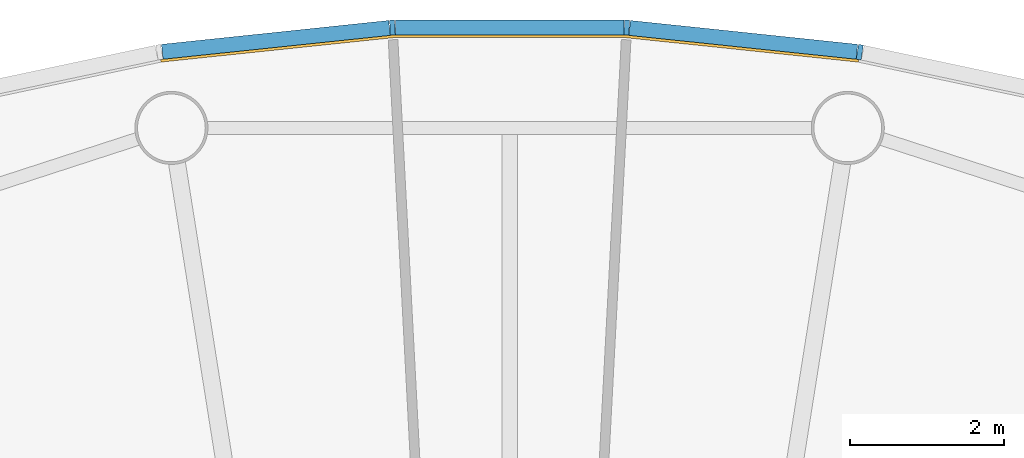
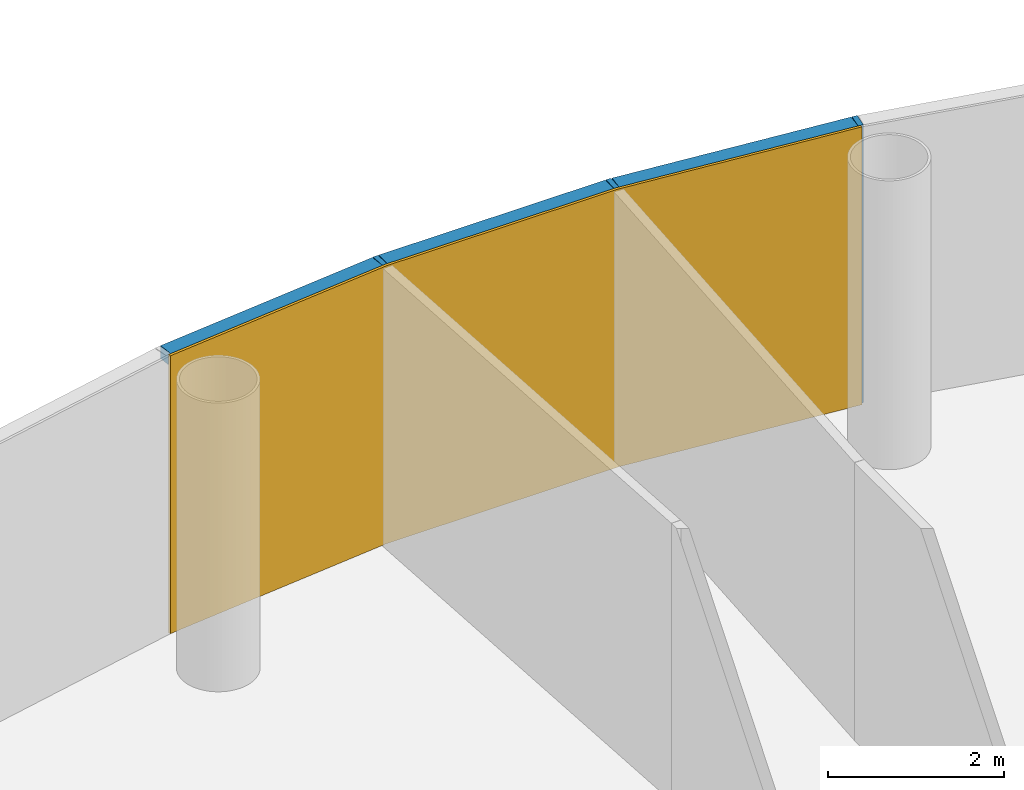
# One storey, part 11 of 13: 6 members, 1 curtain wall.
"""IFC4 building model written with IfcOpenShell, lengths in metres."""

import ifcopenshell
import ifcopenshell.guid

model = None  # the IFC model being written
_history = None  # IfcOwnerHistory: only IFC2X3 demands one
_inside = {}  # id of a spatial element -> (the spatial element, [elements in it])
_under = {}  # id of a project, library or spatial element -> (it, [spatial elements below it])
_declared = {}  # id of a project -> (the project, [libraries it declares])
_typed = {}  # id of a type object -> (the type object, [elements of that type])
_made_of = {}  # id of a material, layer set ... -> (it, [elements and type objects made of it])


def new_model(schema):
    """Start an empty IFC model of exactly this schema.

    Asked for "IFC4X3", IfcOpenShell would pick the latest addendum, in which some entities
    have other attributes; the version numbers below select the first issue.
    IFC2X3 requires an IfcOwnerHistory on every rooted entity: one is made here for all.
    """
    global model, _history
    if schema == "IFC4X3":
        model = ifcopenshell.file(schema_version=(4, 3, 0, 0))
    else:
        model = ifcopenshell.file(schema=schema)
    _inside.clear()
    _under.clear()
    _declared.clear()
    _typed.clear()
    _made_of.clear()
    _history = None
    if model.schema == "IFC2X3":
        org = make("IfcOrganization", Name="unknown")
        user = make(
            "IfcPersonAndOrganization",
            ThePerson=make("IfcPerson", FamilyName="unknown"),
            TheOrganization=org,
        )
        app = make(
            "IfcApplication",
            ApplicationDeveloper=org,
            Version="unknown",
            ApplicationFullName="unknown",
            ApplicationIdentifier="unknown",
        )
        _history = make(
            "IfcOwnerHistory",
            OwningUser=user,
            OwningApplication=app,
            ChangeAction="ADDED",
            CreationDate=0,
        )
    return model


def make(cls, **values):
    """One entity of the class cls with the attributes given. An attribute that is None is left unset."""
    return model.create_entity(
        cls, **{name: value for name, value in values.items() if value is not None}
    )


def rooted(cls, **values):
    """An entity with a GlobalId (a new one), such as an element, a storey or a relation."""
    return make(cls, GlobalId=ifcopenshell.guid.new(), OwnerHistory=_history, **values)


def si_unit(unit_type, name, prefix=None):
    """IfcSIUnit, for example si_unit("LENGTHUNIT", "METRE", prefix="MILLI")."""
    return make("IfcSIUnit", UnitType=unit_type, Prefix=prefix, Name=name)


def assignment(units):
    """IfcUnitAssignment: the units of a project."""
    return None if units is None else make("IfcUnitAssignment", Units=units)


def point(xyz):
    """IfcCartesianPoint."""
    return None if xyz is None else make("IfcCartesianPoint", Coordinates=xyz)


def direction(xyz):
    """IfcDirection."""
    return None if xyz is None else make("IfcDirection", DirectionRatios=xyz)


def frame(location, z_axis=None, x_axis=None):
    """IfcAxis2Placement3D, a coordinate frame: its origin and axes. An axis left out is left unset."""
    return make(
        "IfcAxis2Placement3D",
        Location=point(location),
        Axis=direction(z_axis),
        RefDirection=direction(x_axis),
    )


def frame_2d(location, x_axis=None):
    """IfcAxis2Placement2D, a coordinate frame in the plane: its origin and x axis."""
    return make(
        "IfcAxis2Placement2D", Location=point(location), RefDirection=direction(x_axis)
    )


def origin():
    """The frame at (0, 0, 0) with its axes left unset."""
    return frame((0.0, 0.0, 0.0))


def origin_2d():
    """The frame at (0, 0) in the plane with its x axis left unset."""
    return frame_2d((0.0, 0.0))


def place(relative_to, where):
    """IfcLocalPlacement: puts the frame where relative to a parent placement (None: the world)."""
    return make(
        "IfcLocalPlacement", PlacementRelTo=relative_to, RelativePlacement=where
    )


def context(
    kind, dimensions, precision=None, world=None, true_north=None, identifier=None
):
    """IfcGeometricRepresentationContext, for example the 3D "Model" context."""
    return make(
        "IfcGeometricRepresentationContext",
        ContextIdentifier=identifier,
        ContextType=kind,
        CoordinateSpaceDimension=dimensions,
        Precision=precision,
        WorldCoordinateSystem=world,
        TrueNorth=true_north,
    )


def subcontext(parent, identifier, kind, view, scale=None):
    """IfcGeometricRepresentationSubContext, for example "Body" below "Model"."""
    return make(
        "IfcGeometricRepresentationSubContext",
        ContextIdentifier=identifier,
        ContextType=kind,
        ParentContext=parent,
        TargetScale=scale,
        TargetView=view,
    )


def project(units=None, contexts=None):
    """IfcProject with its units and contexts."""
    return rooted(
        "IfcProject",
        Name="project",
        RepresentationContexts=contexts,
        UnitsInContext=assignment(units),
    )


def spatial(cls, under=None, at=None, **own):
    """A site, building, storey or space (cls), placed at a placement, below another one or the project."""
    s = rooted(cls, ObjectPlacement=at, **own)
    if under is not None:
        _under.setdefault(under.id(), (under, []))[1].append(s)
    return s


def polyline(points):
    """IfcPolyline through the points."""
    return make("IfcPolyline", Points=[point(p) for p in points])


def profile(cls, at=None, kind="AREA", **sizes):
    """A parametric profile (cls). Its sizes go by their IFC names, for example OverallWidth=200.0."""
    return make(cls, ProfileType=kind, Position=at, **sizes)


def rectangle(**sizes):
    """IfcRectangleProfileDef."""
    return profile("IfcRectangleProfileDef", **sizes)


def outline(outer, holes=None, kind="AREA"):
    """IfcArbitraryClosedProfileDef: a profile drawn as a closed curve; with holes, ...WithVoids."""
    if holes is None:
        return make("IfcArbitraryClosedProfileDef", ProfileType=kind, OuterCurve=outer)
    return make(
        "IfcArbitraryProfileDefWithVoids",
        ProfileType=kind,
        OuterCurve=outer,
        InnerCurves=holes,
    )


def extrude(swept, where, along, depth):
    """IfcExtrudedAreaSolid: the profile swept, set in the frame where, extruded along a direction by depth."""
    return make(
        "IfcExtrudedAreaSolid",
        SweptArea=swept,
        Position=where,
        ExtrudedDirection=direction(along),
        Depth=depth,
    )


def shape(context_of_items, identifier, shape_type, items):
    """IfcShapeRepresentation: the items that make up one representation, for example the "Body"."""
    return make(
        "IfcShapeRepresentation",
        ContextOfItems=context_of_items,
        RepresentationIdentifier=identifier,
        RepresentationType=shape_type,
        Items=items,
    )


def material(Name=None, Category=None):
    """IfcMaterial."""
    return make("IfcMaterial", Name=Name, Category=Category)


def layer(
    of_material, thickness, ventilated=None, Name=None, Category=None, Priority=None
):
    """IfcMaterialLayer: one layer of a wall or slab, of a material (None: an air gap)."""
    return make(
        "IfcMaterialLayer",
        Material=of_material,
        LayerThickness=thickness,
        IsVentilated=ventilated,
        Name=Name,
        Category=Category,
        Priority=Priority,
    )


def layer_set(layers, Name=None):
    """IfcMaterialLayerSet."""
    return make("IfcMaterialLayerSet", MaterialLayers=layers, LayerSetName=Name)


def material_profile(
    of_material, cross_section, Name=None, Category=None, Priority=None
):
    """IfcMaterialProfile: a cross section and its material."""
    return make(
        "IfcMaterialProfile",
        Name=Name,
        Material=of_material,
        Profile=cross_section,
        Priority=Priority,
        Category=Category,
    )


def profile_set(profiles, Name=None, composite=None):
    """IfcMaterialProfileSet."""
    return make(
        "IfcMaterialProfileSet",
        Name=Name,
        MaterialProfiles=profiles,
        CompositeProfile=composite,
    )


def made_of(thing, what):
    """Note that an element or type object is made of a material, layer set ...; save() writes the relation."""
    if what is not None:
        _made_of.setdefault(what.id(), (what, []))[1].append(thing)
    return thing


def type_object(cls, material=None, **own):
    """A type object (cls), such as IfcWallType, which elements share."""
    return made_of(rooted(cls, **own), material)


def element(
    cls,
    number,
    at=None,
    inside=None,
    cuts=None,
    type_object=None,
    material=None,
    context=None,
    identifier="Body",
    shape_type=None,
    held_by="IfcProductDefinitionShape",
    body=None,
    shapes=None,
    **own,
):
    """One element of the class cls, such as IfcWall. Its Tag is "e" and its number.

    at: its placement. inside: the storey or other place that contains it. cuts: it is an
    opening in that element (IfcRelVoidsElement). A single representation is given by context,
    identifier, shape_type and body (its items); several are given by shapes. held_by: the class
    of the entity that holds the representations. save() writes the other relations.
    """
    e = rooted(cls, Tag="e%d" % number, ObjectPlacement=at, **own)
    if body is not None:
        shapes = [shape(context, identifier, shape_type, body)]
    if shapes is not None:
        e.Representation = make(held_by, Representations=shapes)
    if inside is not None:
        _inside.setdefault(inside.id(), (inside, []))[1].append(e)
    if cuts is not None:
        rooted(
            "IfcRelVoidsElement", RelatingBuildingElement=cuts, RelatedOpeningElement=e
        )
    if type_object is not None:
        _typed.setdefault(type_object.id(), (type_object, []))[1].append(e)
    return made_of(e, material)


def aggregate(whole, parts):
    """IfcRelAggregates: a whole, such as a stair, and the parts it consists of."""
    return rooted("IfcRelAggregates", RelatingObject=whole, RelatedObjects=parts)


def save(model, path):
    """Write the relations noted so far, then the file.

    IfcRelAggregates (storeys below a building ...), IfcRelContainedInSpatialStructure (elements
    in a storey), IfcRelDefinesByType, IfcRelAssociatesMaterial and IfcRelDeclares: one each for
    every whole, place, type object, material and project.
    """
    for whole, parts in _under.values():
        aggregate(whole, parts)
    for where, things in _inside.values():
        rooted(
            "IfcRelContainedInSpatialStructure",
            RelatedElements=things,
            RelatingStructure=where,
        )
    for kind, things in _typed.values():
        rooted("IfcRelDefinesByType", RelatedObjects=things, RelatingType=kind)
    for what, things in _made_of.values():
        rooted("IfcRelAssociatesMaterial", RelatedObjects=things, RelatingMaterial=what)
    for by, libraries in _declared.values():
        rooted("IfcRelDeclares", RelatingContext=by, RelatedDefinitions=libraries)
    model.write(path)


model = new_model("IFC4")

# Units and contexts
model_context = context("Model", 3, precision=1e-05, world=origin(), true_north=direction((0.0, 1.0)))
body_context = subcontext(model_context, "Body", "Model", "MODEL_VIEW")
ifc_project = project(units=[si_unit("LENGTHUNIT", "METRE"), si_unit("AREAUNIT", "SQUARE_METRE"), si_unit("VOLUMEUNIT", "CUBIC_METRE"), si_unit("PLANEANGLEUNIT", "RADIAN"), si_unit("MASSUNIT", "GRAM", prefix="KILO")], contexts=[model_context])

# Member
ifc_material_1 = material(Name="Anodised aluminium", Category="aluminium")
ifc_material_profile_1 = material_profile(ifc_material_1, rectangle(XDim=0.06494140625, YDim=0.195068359375, at=origin_2d()), Name="Mullion 65 x 195 mm anodised aluminium")
ifc_profile_set_1 = profile_set([ifc_material_profile_1], Name="Anodised aluminium")
member_type_1 = type_object("IfcMemberType", Name="Mullion 65 x 195 mm anodised aluminium", PredefinedType="MULLION", material=ifc_profile_set_1)
site_placement = place(None, origin())
building_placement = place(site_placement, origin())
storey_placement = place(building_placement, frame((0.0, 0.0, 302.0)))
member_1_placement = place(storey_placement, frame((94.5517578125, 108.7392578125, 0.0), z_axis=(0.0, 0.0, 1.0), x_axis=(-0.987688340595, 0.15643446504, 0.0)))
member_1 = element("IfcMember", 1, at=member_1_placement, type_object=member_type_1, Name="MULLION L69-12", PredefinedType="MULLION", context=body_context, shape_type="SweptSolid", body=[
    extrude(rectangle(XDim=0.06494140625, YDim=0.195068359375, at=origin_2d()), origin(), (0.0, 0.0, 1.0), 3.85009765625),
])

member_2_placement = place(storey_placement, frame((91.52294921875, 109.0576171875, 0.0), z_axis=(0.0, 0.0, 1.0), x_axis=(-0.998629534755, 0.052335956243, 0.0)))
member_2 = element("IfcMember", 2, at=member_2_placement, type_object=member_type_1, Name="MULLION L69-13", PredefinedType="MULLION", context=body_context, shape_type="SweptSolid", body=[
    extrude(rectangle(XDim=0.06494140625, YDim=0.195068359375, at=origin_2d()), origin(), (0.0, 0.0, 1.0), 3.85009765625),
])

member_3_placement = place(storey_placement, frame((88.47705078125, 109.0576171875, 0.0), z_axis=(0.0, 0.0, 1.0), x_axis=(-0.998629534755, -0.052335956243, 0.0)))
member_3 = element("IfcMember", 3, at=member_3_placement, type_object=member_type_1, Name="MULLION L69-14", PredefinedType="MULLION", context=body_context, shape_type="SweptSolid", body=[
    extrude(rectangle(XDim=0.06494140625, YDim=0.195068359375, at=origin_2d()), origin(), (0.0, 0.0, 1.0), 3.85009765625),
])

ifc_material_2 = material(Name="Anodised aluminium", Category="aluminium")
ifc_material_profile_2 = material_profile(ifc_material_2, rectangle(XDim=0.195068359375, YDim=0.179931640625, at=origin_2d()), Name="Transom 180 x 195 mm anodised aluminium")
ifc_profile_set_2 = profile_set([ifc_material_profile_2], Name="Anodised aluminium")
member_type_2 = type_object("IfcMemberType", Name="Transom 180 x 195 mm anodised aluminium", PredefinedType="USERDEFINED", material=ifc_profile_set_2)
member_4_placement = place(storey_placement, frame((94.514404296875, 108.743408203125, 3.760009765625), z_axis=(-0.994528397827, 0.104466577987, 0.0), x_axis=(-0.104466577987, -0.994528397827, 0.0)))
member_4 = element("IfcMember", 4, at=member_4_placement, type_object=member_type_2, Name="TRANSOM L69-12", ObjectType="TRANSOM", PredefinedType="USERDEFINED", context=body_context, shape_type="SweptSolid", body=[
    extrude(rectangle(XDim=0.195068359375, YDim=0.179931640625, at=origin_2d()), origin(), (0.0, 0.0, 1.0), 2.970458984375),
])

member_5_placement = place(storey_placement, frame((91.4853515625, 109.057861328125, 3.760009765625), z_axis=(-1.0, 0.0, 0.0), x_axis=(0.0, -1.0, 0.0)))
member_5 = element("IfcMember", 5, at=member_5_placement, type_object=member_type_2, Name="TRANSOM L69-13", ObjectType="TRANSOM", PredefinedType="USERDEFINED", context=body_context, shape_type="SweptSolid", body=[
    extrude(rectangle(XDim=0.195068359375, YDim=0.179931640625, at=origin_2d()), origin(), (0.0, 0.0, 1.0), 2.970703125),
])

member_6_placement = place(storey_placement, frame((88.439697265625, 109.0537109375, 3.760009765625), z_axis=(-0.994528397827, -0.104466577987, 0.0), x_axis=(0.104466577987, -0.994528397827, 0.0)))
member_6 = element("IfcMember", 6, at=member_6_placement, type_object=member_type_2, Name="TRANSOM L69-14", ObjectType="TRANSOM", PredefinedType="USERDEFINED", context=body_context, shape_type="SweptSolid", body=[
    extrude(rectangle(XDim=0.195068359375, YDim=0.179931640625, at=origin_2d()), origin(), (0.0, 0.0, 1.0), 2.970458984375),
])

# Site, building, storey
site = spatial("IfcSite", under=ifc_project, at=site_placement, CompositionType="ELEMENT")
building = spatial("IfcBuilding", under=site, at=building_placement, Name="Entoto Ring Tower", CompositionType="ELEMENT")
storey = spatial("IfcBuildingStorey", under=building, at=storey_placement, Name="L69", CompositionType="ELEMENT", Elevation=302.0)

# Curtain wall
ifc_material_3 = material(Name="Clear low-iron glass", Category="glass")
ifc_layer = layer(ifc_material_3, 0.033935546875)
ifc_layer_set = layer_set([ifc_layer], Name="Clear low-iron glass")
curtain_wall_type = type_object("IfcCurtainWallType", Name="Curtain wall system CW5 glazing 34 mm", PredefinedType="NOTDEFINED", material=ifc_layer_set)
curtain_wall_placement = place(storey_placement, origin())
curtain_wall = element("IfcCurtainWall", 7, at=curtain_wall_placement, inside=storey, type_object=curtain_wall_type, Name="CW5 L69-05", PredefinedType="NOTDEFINED", context=body_context, shape_type="SweptSolid", body=[
    extrude(outline(polyline([(94.53662109375, 108.64306640625), (91.517822265625, 108.960205078125), (88.482177734375, 108.960205078125), (85.46337890625, 108.64306640625), (85.46875, 108.609375), (88.484130859375, 108.92626953125), (91.515869140625, 108.92626953125), (94.53125, 108.609375), (94.53662109375, 108.64306640625)])), origin(), (0.0, 0.0, 1.0), 3.85009765625),
])

aggregate(curtain_wall, [member_1, member_2, member_3, member_4, member_5, member_6])

save(model, "model.ifc")
